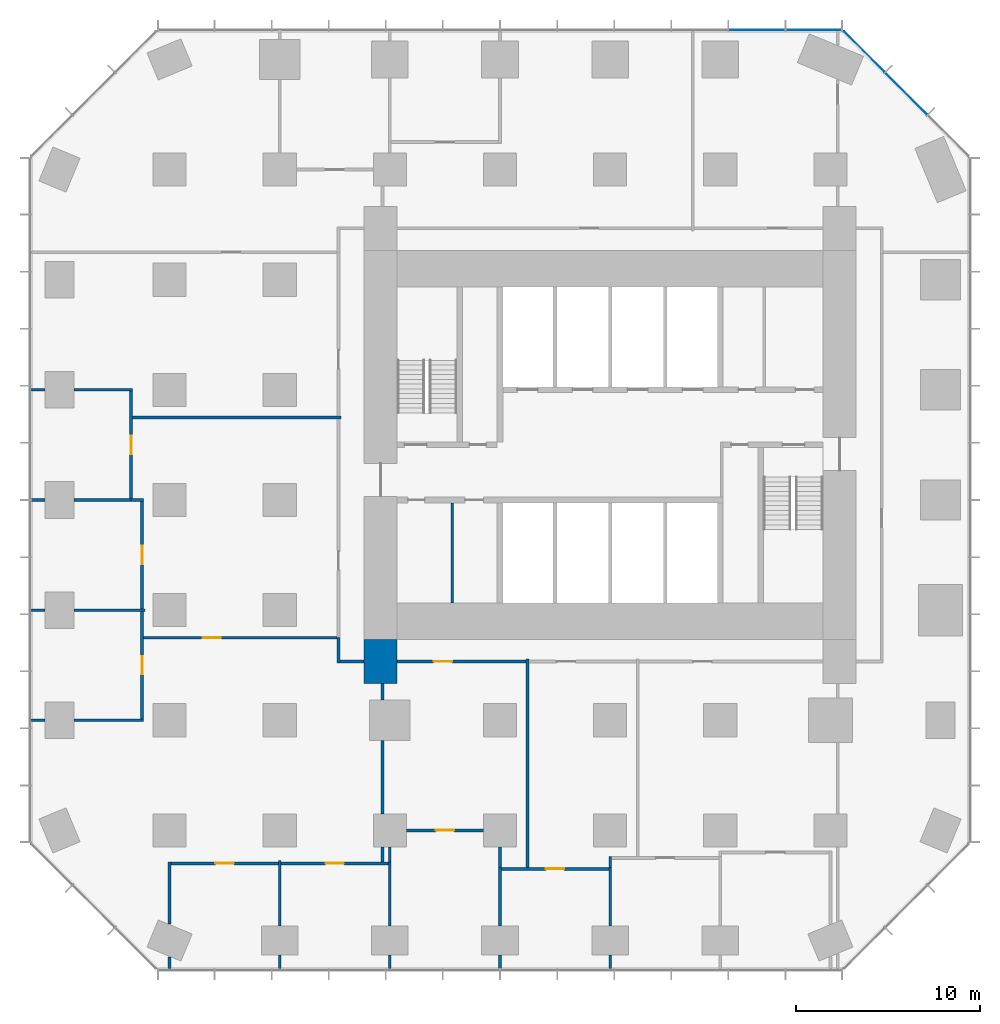
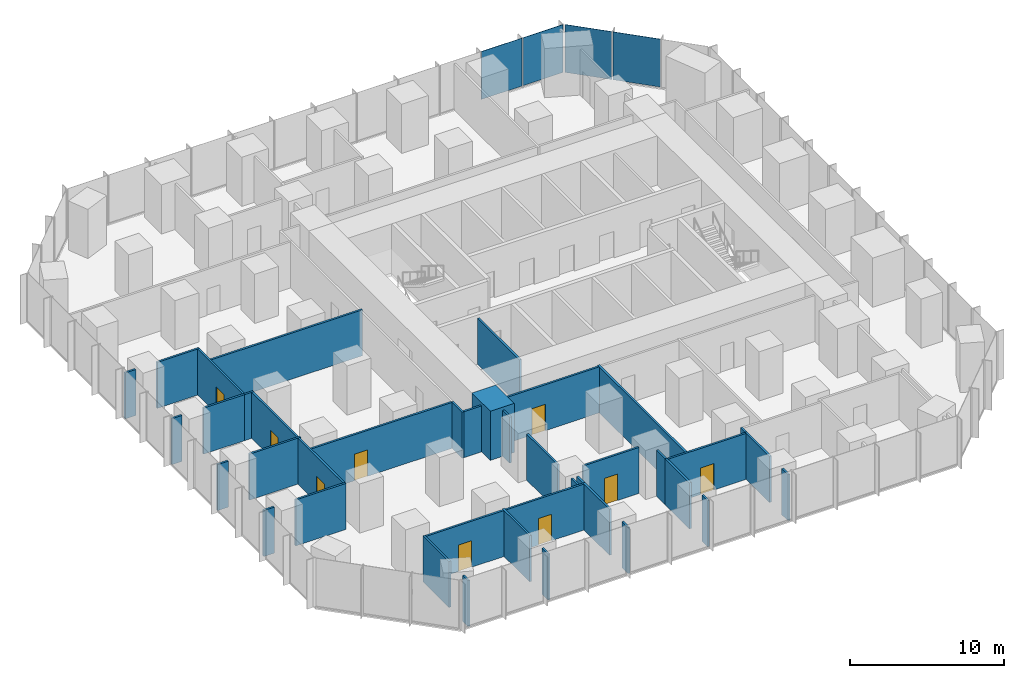
# One storey, part 8 of 12: 40 walls, 9 doors, 4 plates, 9 openings, 2 elements without a shape of their own.
"""IFC4 building model written with IfcOpenShell, lengths in metres."""

from ifc_helpers import new_model, si_unit, direction, frame, frame_2d, origin, origin_2d, place, context, subcontext, project, spatial, rectangle, extrude, material, layer, layer_set, type_object, element, fill, aggregate, save


model = new_model("IFC4")

# Units and contexts
model_context = context("Model", 3, precision=1e-05, world=origin(), true_north=direction((0.0, 1.0)))
body_context = subcontext(model_context, "Body", "Model", "MODEL_VIEW")
ifc_project = project(units=[si_unit("LENGTHUNIT", "METRE"), si_unit("AREAUNIT", "SQUARE_METRE"), si_unit("VOLUMEUNIT", "CUBIC_METRE"), si_unit("PLANEANGLEUNIT", "RADIAN"), si_unit("MASSUNIT", "GRAM", prefix="KILO")], contexts=[model_context])

# Site, building, storey
site_placement = place(None, origin())
site = spatial("IfcSite", under=ifc_project, at=site_placement, CompositionType="ELEMENT")
building_placement = place(site_placement, origin())
building = spatial("IfcBuilding", under=site, at=building_placement, Name="Highveld Stack Headquarters", CompositionType="ELEMENT")
storey_placement = place(building_placement, frame((0.0, 0.0, 22.10009765625)))
storey = spatial("IfcBuildingStorey", under=building, at=storey_placement, Name="L04", CompositionType="ELEMENT", Elevation=22.10009765625)

# Curtain wall, plates
ifc_material_1 = material(Name="Aluminium bronze anodised", Category="aluminium")
ifc_layer_1 = layer(ifc_material_1, 0.199951171875)
ifc_layer_set_1 = layer_set([ifc_layer_1], Name="Aluminium bronze anodised")
curtain_wall_type_1 = type_object("IfcCurtainWallType", Name="CW1 TOWER UNITISED CURTAIN WALL", PredefinedType="NOTDEFINED", material=ifc_layer_set_1)
curtain_wall_1_placement = place(storey_placement, origin())
curtain_wall_1 = element("IfcCurtainWall", 1, at=curtain_wall_1_placement, inside=storey, type_object=curtain_wall_type_1, Name="Curtain wall CW1 L04 N", PredefinedType="NOTDEFINED")
ifc_material_2 = material(Name="Glass bronze tinted double glazed unit", Category="glass")
ifc_layer_2 = layer(ifc_material_2, 0.028076171875)
ifc_layer_set_2 = layer_set([ifc_layer_2], Name="Glass bronze tinted double glazed unit")
plate_type_1 = type_object("IfcPlateType", Name="CW1 PANEL BRONZE TINTED DOUBLE GLAZED UNIT", PredefinedType="CURTAIN_PANEL", material=ifc_layer_set_2)
plate_1_placement = place(storey_placement, frame((17.09130859375, 25.60009765625, 0.10009765625), z_axis=(0.0, 0.0, 1.0), x_axis=(-1.0, 0.0, 0.0)))
plate_1 = element("IfcPlate", 2, at=plate_1_placement, type_object=plate_type_1, Name="CW1 panel L04 1.1", PredefinedType="CURTAIN_PANEL", context=body_context, shape_type="SweptSolid", body=[
    extrude(rectangle(XDim=3.012939453125, YDim=0.028076171875, at=origin_2d()), origin(), (0.0, 0.0, 1.0), 3.800048828125),
])
plate_2_placement = place(storey_placement, frame((13.9970703125, 25.60009765625, 0.10009765625), z_axis=(0.0, 0.0, 1.0), x_axis=(-1.0, 0.0, 0.0)))
plate_2 = element("IfcPlate", 3, at=plate_2_placement, type_object=plate_type_1, Name="CW1 panel L04 2.1", PredefinedType="CURTAIN_PANEL", context=body_context, shape_type="SweptSolid", body=[
    extrude(rectangle(XDim=3.04541015625, YDim=0.028076171875, at=origin_2d()), origin(), (0.0, 0.0, 1.0), 3.800048828125),
])
aggregate(curtain_wall_1, [plate_1, plate_2])

ifc_material_3 = material(Name="Aluminium bronze anodised", Category="aluminium")
ifc_layer_3 = layer(ifc_material_3, 0.199951171875)
ifc_layer_set_3 = layer_set([ifc_layer_3], Name="Aluminium bronze anodised")
curtain_wall_type_2 = type_object("IfcCurtainWallType", Name="CW2 TOWER CHAMFER UNITISED CURTAIN WALL", PredefinedType="NOTDEFINED", material=ifc_layer_set_3)
curtain_wall_2_placement = place(storey_placement, origin())
curtain_wall_2 = element("IfcCurtainWall", 4, at=curtain_wall_2_placement, inside=storey, type_object=curtain_wall_type_2, Name="Curtain wall CW2 L04 NE", PredefinedType="NOTDEFINED")
ifc_material_4 = material(Name="Glass bronze tinted double glazed unit", Category="glass")
ifc_layer_4 = layer(ifc_material_4, 0.028076171875)
ifc_layer_set_4 = layer_set([ifc_layer_4], Name="Glass bronze tinted double glazed unit")
plate_type_2 = type_object("IfcPlateType", Name="CW2 PANEL BRONZE TINTED DOUBLE GLAZED UNIT", PredefinedType="CURTAIN_PANEL", material=ifc_layer_set_4)
plate_3_placement = place(storey_placement, frame((22.13134765625, 22.13134765625, 0.10009765625), z_axis=(0.0, 0.0, 1.0), x_axis=(-0.707106781187, 0.707106781187, 0.0)))
plate_3 = element("IfcPlate", 5, at=plate_3_placement, type_object=plate_type_2, Name="CW2 panel L04 2.1", PredefinedType="CURTAIN_PANEL", context=body_context, shape_type="SweptSolid", body=[
    extrude(rectangle(XDim=3.205322265625, YDim=0.028076171875, at=origin_2d()), origin(), (0.0, 0.0, 1.0), 3.800048828125),
])
plate_4_placement = place(storey_placement, frame((19.8427734375, 24.419921875, 0.10009765625), z_axis=(0.0, 0.0, 1.0), x_axis=(-0.707106781187, 0.707106781187, 0.0)))
plate_4 = element("IfcPlate", 6, at=plate_4_placement, type_object=plate_type_2, Name="CW2 panel L04 3.1", PredefinedType="CURTAIN_PANEL", context=body_context, shape_type="SweptSolid", body=[
    extrude(rectangle(XDim=3.1376953125, YDim=0.028076171875, at=origin_2d()), origin(), (0.0, 0.0, 1.0), 3.800048828125),
])
aggregate(curtain_wall_2, [plate_3, plate_4])

# Wall
ifc_material_5 = material(Name="Concrete C60/75", Category="concrete")
ifc_layer_5 = layer(ifc_material_5, 1.800048828125)
ifc_layer_set_5 = layer_set([ifc_layer_5], Name="Concrete C60/75")
wall_type_1 = type_object("IfcWallType", Name="CORE WING WALL 1800 C60/75", PredefinedType="SHEAR", material=ifc_layer_set_5)
wall_1_placement = place(storey_placement, frame((-6.5, -10.0, 0.0), z_axis=(0.0, 0.0, 1.0), x_axis=(0.0, 1.0, 0.0)))
element("IfcWall", 7, at=wall_1_placement, inside=storey, type_object=wall_type_1, Name="Core wing wall WS L04", PredefinedType="SHEAR", context=body_context, shape_type="SweptSolid", body=[
    extrude(rectangle(XDim=2.39990234375, YDim=1.800048828125, at=frame_2d((1.199951171875, 0.0))), origin(), (0.0, 0.0, 1.0), 3.89990234375),
])

# Wall, opening, door
ifc_material_6 = material(Name="Gypsum plasterboard on steel studs", Category="steel")
ifc_layer_6 = layer(ifc_material_6, 0.14990234375)
ifc_layer_set_6 = layer_set([ifc_layer_6], Name="Gypsum plasterboard on steel studs")
wall_type_2 = type_object("IfcWallType", Name="PARTITION 150 PLASTERBOARD", PredefinedType="PARTITIONING", material=ifc_layer_set_6)
wall_2_placement = place(storey_placement, frame((0.074951171875, -20.10009765625, 0.0), z_axis=(0.0, 0.0, 1.0), x_axis=(1.0, 0.0, 0.0)))
wall_2 = element("IfcWall", 8, at=wall_2_placement, inside=storey, type_object=wall_type_2, Name="Partition Focus room L04", PredefinedType="PARTITIONING", context=body_context, shape_type="SweptSolid", body=[
    extrude(rectangle(XDim=5.85009765625, YDim=0.14990234375, at=frame_2d((2.925048828125, 0.0))), origin(), (0.0, 0.0, 1.0), 3.64990234375),
])
opening_1_placement = place(wall_2_placement, frame((2.425048828125, 0.0, 0.0)))
opening_1 = element("IfcOpeningElement", 9, at=opening_1_placement, cuts=wall_2, Name="Opening L04-14", PredefinedType="OPENING", context=body_context, shape_type="SweptSolid", body=[
    extrude(rectangle(XDim=1.0, YDim=2.10009765625, at=frame_2d((0.5, 1.050048828125))), frame((0.0, 0.0849609375, 0.0), z_axis=(0.0, -1.0, 0.0), x_axis=(1.0, 0.0, 0.0)), (0.0, 0.0, 1.0), 0.169921875),
])
ifc_material_7 = material(Name="Timber door, oiled ash", Category="wood")
door_type = type_object("IfcDoorType", Name="ROOM DOOR D6 1000x2100", OperationType="SINGLE_SWING_LEFT", PredefinedType="DOOR", material=ifc_material_7)
door_1_placement = place(opening_1_placement, origin())
door_1 = element("IfcDoor", 10, at=door_1_placement, inside=storey, type_object=door_type, Name="Focus room door 1 L04", OperationType="SINGLE_SWING_RIGHT", OverallHeight=2.10009765625, OverallWidth=1.0, PredefinedType="DOOR", context=body_context, shape_type="SweptSolid", body=[
    extrude(rectangle(XDim=1.0, YDim=2.10009765625, at=frame_2d((0.5, 1.050048828125))), frame((0.0, 0.02490234375, 0.0), z_axis=(0.0, -1.0, 0.0), x_axis=(1.0, 0.0, 0.0)), (0.0, 0.0, 1.0), 0.050048828125),
])
fill(opening_1, door_1)

wall_3_placement = place(storey_placement, frame((-17.925048828125, -19.800048828125, 0.0), z_axis=(0.0, 0.0, 1.0), x_axis=(1.0, 0.0, 0.0)))
wall_3 = element("IfcWall", 11, at=wall_3_placement, inside=storey, type_object=wall_type_2, Name="Partition Print room L04", PredefinedType="PARTITIONING", context=body_context, shape_type="SweptSolid", body=[
    extrude(rectangle(XDim=5.85009765625, YDim=0.14990234375, at=frame_2d((2.925048828125, 0.0))), origin(), (0.0, 0.0, 1.0), 3.64990234375),
])
opening_2_placement = place(wall_3_placement, frame((2.425048828125, 0.0, 0.0)))
opening_2 = element("IfcOpeningElement", 12, at=opening_2_placement, cuts=wall_3, Name="Opening L04-11", PredefinedType="OPENING", context=body_context, shape_type="SweptSolid", body=[
    extrude(rectangle(XDim=1.0, YDim=2.10009765625, at=frame_2d((0.5, 1.050048828125))), frame((0.0, 0.0849609375, 0.0), z_axis=(0.0, -1.0, 0.0), x_axis=(1.0, 0.0, 0.0)), (0.0, 0.0, 1.0), 0.169921875),
])
door_2_placement = place(opening_2_placement, origin())
door_2 = element("IfcDoor", 13, at=door_2_placement, inside=storey, type_object=door_type, Name="Print room door 1 L04", OperationType="SINGLE_SWING_LEFT", OverallHeight=2.10009765625, OverallWidth=1.0, PredefinedType="DOOR", context=body_context, shape_type="SweptSolid", body=[
    extrude(rectangle(XDim=1.0, YDim=2.10009765625, at=frame_2d((0.5, 1.050048828125))), frame((0.0, 0.02490234375, 0.0), z_axis=(0.0, -1.0, 0.0), x_axis=(1.0, 0.0, 0.0)), (0.0, 0.0, 1.0), 0.050048828125),
])
fill(opening_2, door_2)

wall_4_placement = place(storey_placement, frame((-11.925048828125, -19.800048828125, 0.0), z_axis=(0.0, 0.0, 1.0), x_axis=(1.0, 0.0, 0.0)))
wall_4 = element("IfcWall", 14, at=wall_4_placement, inside=storey, type_object=wall_type_2, Name="Partition Print room L04", PredefinedType="PARTITIONING", context=body_context, shape_type="SweptSolid", body=[
    extrude(rectangle(XDim=5.85009765625, YDim=0.14990234375, at=frame_2d((2.925048828125, 0.0))), origin(), (0.0, 0.0, 1.0), 3.64990234375),
])
opening_3_placement = place(wall_4_placement, frame((2.425048828125, 0.0, 0.0)))
opening_3 = element("IfcOpeningElement", 15, at=opening_3_placement, cuts=wall_4, Name="Opening L04-12", PredefinedType="OPENING", context=body_context, shape_type="SweptSolid", body=[
    extrude(rectangle(XDim=1.0, YDim=2.10009765625, at=frame_2d((0.5, 1.050048828125))), frame((0.0, 0.0849609375, 0.0), z_axis=(0.0, -1.0, 0.0), x_axis=(1.0, 0.0, 0.0)), (0.0, 0.0, 1.0), 0.169921875),
])
door_3_placement = place(opening_3_placement, origin())
door_3 = element("IfcDoor", 16, at=door_3_placement, inside=storey, type_object=door_type, Name="Print room door 1 L04", OperationType="SINGLE_SWING_RIGHT", OverallHeight=2.10009765625, OverallWidth=1.0, PredefinedType="DOOR", context=body_context, shape_type="SweptSolid", body=[
    extrude(rectangle(XDim=1.0, YDim=2.10009765625, at=frame_2d((0.5, 1.050048828125))), frame((0.0, 0.02490234375, 0.0), z_axis=(0.0, -1.0, 0.0), x_axis=(1.0, 0.0, 0.0)), (0.0, 0.0, 1.0), 0.050048828125),
])
fill(opening_3, door_3)

wall_5_placement = place(storey_placement, frame((-5.10009765625, -18.0, 0.0), z_axis=(0.0, 0.0, 1.0), x_axis=(1.0, 0.0, 0.0)))
wall_5 = element("IfcWall", 17, at=wall_5_placement, inside=storey, type_object=wall_type_2, Name="Partition Office L04", PredefinedType="PARTITIONING", context=body_context, shape_type="SweptSolid", body=[
    extrude(rectangle(XDim=4.2001953125, YDim=0.14990234375, at=frame_2d((2.10009765625, 0.0))), origin(), (0.0, 0.0, 1.0), 3.64990234375),
])
opening_4_placement = place(wall_5_placement, frame((1.60009765625, 0.0, 0.0)))
opening_4 = element("IfcOpeningElement", 18, at=opening_4_placement, cuts=wall_5, Name="Opening L04-13", PredefinedType="OPENING", context=body_context, shape_type="SweptSolid", body=[
    extrude(rectangle(XDim=1.0, YDim=2.10009765625, at=frame_2d((0.5, 1.050048828125))), frame((0.0, 0.0849609375, 0.0), z_axis=(0.0, -1.0, 0.0), x_axis=(1.0, 0.0, 0.0)), (0.0, 0.0, 1.0), 0.169921875),
])
door_4_placement = place(opening_4_placement, origin())
door_4 = element("IfcDoor", 19, at=door_4_placement, inside=storey, type_object=door_type, Name="Office door 1 L04", OperationType="SINGLE_SWING_RIGHT", OverallHeight=2.10009765625, OverallWidth=1.0, PredefinedType="DOOR", context=body_context, shape_type="SweptSolid", body=[
    extrude(rectangle(XDim=1.0, YDim=2.10009765625, at=frame_2d((0.5, 1.050048828125))), frame((0.0, 0.02490234375, 0.0), z_axis=(0.0, -1.0, 0.0), x_axis=(1.0, 0.0, 0.0)), (0.0, 0.0, 1.0), 0.050048828125),
])
fill(opening_4, door_4)

# Walls
wall_6_placement = place(storey_placement, frame((-25.60009765625, -12.0, 0.0), z_axis=(0.0, 0.0, 1.0), x_axis=(1.0, 0.0, 0.0)))
element("IfcWall", 20, at=wall_6_placement, inside=storey, type_object=wall_type_2, Name="Partition Quiet room L04", PredefinedType="PARTITIONING", context=body_context, shape_type="SweptSolid", body=[
    extrude(rectangle(XDim=0.800048828125, YDim=0.14990234375, at=frame_2d((0.39990234375, 0.0))), origin(), (0.0, 0.0, 1.0), 3.64990234375),
])
wall_7_placement = place(storey_placement, frame((-23.199951171875, -12.0, 0.0), z_axis=(0.0, 0.0, 1.0), x_axis=(1.0, 0.0, 0.0)))
element("IfcWall", 21, at=wall_7_placement, inside=storey, type_object=wall_type_2, Name="Partition Quiet room L04", PredefinedType="PARTITIONING", context=body_context, shape_type="SweptSolid", body=[
    extrude(rectangle(XDim=3.77490234375, YDim=0.14990234375, at=frame_2d((1.887451171875, 0.0))), origin(), (0.0, 0.0, 1.0), 3.64990234375),
])
wall_8_placement = place(storey_placement, frame((-25.60009765625, -6.0, 0.0), z_axis=(0.0, 0.0, 1.0), x_axis=(1.0, 0.0, 0.0)))
element("IfcWall", 22, at=wall_8_placement, inside=storey, type_object=wall_type_2, Name="Partition Quiet room L04", PredefinedType="PARTITIONING", context=body_context, shape_type="SweptSolid", body=[
    extrude(rectangle(XDim=0.800048828125, YDim=0.14990234375, at=frame_2d((0.39990234375, 0.0))), origin(), (0.0, 0.0, 1.0), 3.64990234375),
])
wall_9_placement = place(storey_placement, frame((-23.199951171875, -6.0, 0.0), z_axis=(0.0, 0.0, 1.0), x_axis=(1.0, 0.0, 0.0)))
element("IfcWall", 23, at=wall_9_placement, inside=storey, type_object=wall_type_2, Name="Partition Quiet room L04", PredefinedType="PARTITIONING", context=body_context, shape_type="SweptSolid", body=[
    extrude(rectangle(XDim=3.849853515625, YDim=0.14990234375, at=frame_2d((1.9248046875, 0.0))), origin(), (0.0, 0.0, 1.0), 3.64990234375),
])
wall_10_placement = place(storey_placement, frame((-25.550048828125, 0.0, 0.0), z_axis=(0.0, 0.0, 1.0), x_axis=(1.0, 0.0, 0.0)))
element("IfcWall", 24, at=wall_10_placement, inside=storey, type_object=wall_type_2, Name="Partition Focus room / Quiet room L04", PredefinedType="PARTITIONING", context=body_context, shape_type="SweptSolid", body=[
    extrude(rectangle(XDim=0.75, YDim=0.14990234375, at=frame_2d((0.375, 0.0))), origin(), (0.0, 0.0, 1.0), 3.64990234375),
])
wall_11_placement = place(storey_placement, frame((-23.199951171875, 0.0, 0.0), z_axis=(0.0, 0.0, 1.0), x_axis=(1.0, 0.0, 0.0)))
element("IfcWall", 25, at=wall_11_placement, inside=storey, type_object=wall_type_2, Name="Partition Focus room / Quiet room L04", PredefinedType="PARTITIONING", context=body_context, shape_type="SweptSolid", body=[
    extrude(rectangle(XDim=3.175048828125, YDim=0.14990234375, at=frame_2d((1.58740234375, 0.0))), origin(), (0.0, 0.0, 1.0), 3.64990234375),
])
wall_12_placement = place(storey_placement, frame((-20.10009765625, 0.0, 0.0), z_axis=(0.0, 0.0, 1.0), x_axis=(1.0, 0.0, 0.0)))
element("IfcWall", 26, at=wall_12_placement, inside=storey, type_object=wall_type_2, Name="Partition Quiet room L04", PredefinedType="PARTITIONING", context=body_context, shape_type="SweptSolid", body=[
    extrude(rectangle(XDim=0.675048828125, YDim=0.14990234375, at=frame_2d((0.33740234375, 0.0))), origin(), (0.0, 0.0, 1.0), 3.64990234375),
])
wall_13_placement = place(storey_placement, frame((-25.60009765625, 6.0, 0.0), z_axis=(0.0, 0.0, 1.0), x_axis=(1.0, 0.0, 0.0)))
element("IfcWall", 27, at=wall_13_placement, inside=storey, type_object=wall_type_2, Name="Partition Focus room L04", PredefinedType="PARTITIONING", context=body_context, shape_type="SweptSolid", body=[
    extrude(rectangle(XDim=0.800048828125, YDim=0.14990234375, at=frame_2d((0.39990234375, 0.0))), origin(), (0.0, 0.0, 1.0), 3.64990234375),
])
wall_14_placement = place(storey_placement, frame((-23.199951171875, 6.0, 0.0), z_axis=(0.0, 0.0, 1.0), x_axis=(1.0, 0.0, 0.0)))
element("IfcWall", 28, at=wall_14_placement, inside=storey, type_object=wall_type_2, Name="Partition Focus room L04", PredefinedType="PARTITIONING", context=body_context, shape_type="SweptSolid", body=[
    extrude(rectangle(XDim=3.175048828125, YDim=0.14990234375, at=frame_2d((1.58740234375, 0.0))), origin(), (0.0, 0.0, 1.0), 3.64990234375),
])

# Wall, opening, door
wall_15_placement = place(storey_placement, frame((-20.10009765625, 0.074951171875, 0.0), z_axis=(0.0, 0.0, 1.0), x_axis=(0.0, 1.0, 0.0)))
wall_15 = element("IfcWall", 29, at=wall_15_placement, inside=storey, type_object=wall_type_2, Name="Partition Focus room L04", PredefinedType="PARTITIONING", context=body_context, shape_type="SweptSolid", body=[
    extrude(rectangle(XDim=5.85009765625, YDim=0.14990234375, at=frame_2d((2.925048828125, 0.0))), origin(), (0.0, 0.0, 1.0), 3.64990234375),
])
opening_5_placement = place(wall_15_placement, frame((2.425048828125, 0.0, 0.0)))
opening_5 = element("IfcOpeningElement", 30, at=opening_5_placement, cuts=wall_15, Name="Opening L04-19", PredefinedType="OPENING", context=body_context, shape_type="SweptSolid", body=[
    extrude(rectangle(XDim=1.0, YDim=2.10009765625, at=frame_2d((0.5, 1.050048828125))), frame((0.0, 0.0849609375, 0.0), z_axis=(0.0, -1.0, 0.0), x_axis=(1.0, 0.0, 0.0)), (0.0, 0.0, 1.0), 0.169921875),
])
door_5_placement = place(opening_5_placement, origin())
door_5 = element("IfcDoor", 31, at=door_5_placement, inside=storey, type_object=door_type, Name="Focus room door 1 L04", OperationType="SINGLE_SWING_LEFT", OverallHeight=2.10009765625, OverallWidth=1.0, PredefinedType="DOOR", context=body_context, shape_type="SweptSolid", body=[
    extrude(rectangle(XDim=1.0, YDim=2.10009765625, at=frame_2d((0.5, 1.050048828125))), frame((0.0, 0.02490234375, 0.0), z_axis=(0.0, -1.0, 0.0), x_axis=(1.0, 0.0, 0.0)), (0.0, 0.0, 1.0), 0.050048828125),
])
fill(opening_5, door_5)

wall_16_placement = place(storey_placement, frame((-19.5, -11.925048828125, 0.0), z_axis=(0.0, 0.0, 1.0), x_axis=(0.0, 1.0, 0.0)))
wall_16 = element("IfcWall", 32, at=wall_16_placement, inside=storey, type_object=wall_type_2, Name="Partition Quiet room L04", PredefinedType="PARTITIONING", context=body_context, shape_type="SweptSolid", body=[
    extrude(rectangle(XDim=5.85009765625, YDim=0.14990234375, at=frame_2d((2.925048828125, 0.0))), origin(), (0.0, 0.0, 1.0), 3.64990234375),
])
opening_6_placement = place(wall_16_placement, frame((2.425048828125, 0.0, 0.0)))
opening_6 = element("IfcOpeningElement", 33, at=opening_6_placement, cuts=wall_16, Name="Opening L04-17", PredefinedType="OPENING", context=body_context, shape_type="SweptSolid", body=[
    extrude(rectangle(XDim=1.0, YDim=2.10009765625, at=frame_2d((0.5, 1.050048828125))), frame((0.0, 0.0849609375, 0.0), z_axis=(0.0, -1.0, 0.0), x_axis=(1.0, 0.0, 0.0)), (0.0, 0.0, 1.0), 0.169921875),
])
door_6_placement = place(opening_6_placement, origin())
door_6 = element("IfcDoor", 34, at=door_6_placement, inside=storey, type_object=door_type, Name="Quiet room door 1 L04", OperationType="SINGLE_SWING_RIGHT", OverallHeight=2.10009765625, OverallWidth=1.0, PredefinedType="DOOR", context=body_context, shape_type="SweptSolid", body=[
    extrude(rectangle(XDim=1.0, YDim=2.10009765625, at=frame_2d((0.5, 1.050048828125))), frame((0.0, 0.02490234375, 0.0), z_axis=(0.0, -1.0, 0.0), x_axis=(1.0, 0.0, 0.0)), (0.0, 0.0, 1.0), 0.050048828125),
])
fill(opening_6, door_6)

wall_17_placement = place(storey_placement, frame((-19.5, -5.925048828125, 0.0), z_axis=(0.0, 0.0, 1.0), x_axis=(0.0, 1.0, 0.0)))
wall_17 = element("IfcWall", 35, at=wall_17_placement, inside=storey, type_object=wall_type_2, Name="Partition Quiet room L04", PredefinedType="PARTITIONING", context=body_context, shape_type="SweptSolid", body=[
    extrude(rectangle(XDim=5.85009765625, YDim=0.14990234375, at=frame_2d((2.925048828125, 0.0))), origin(), (0.0, 0.0, 1.0), 3.64990234375),
])
opening_7_placement = place(wall_17_placement, frame((2.425048828125, 0.0, 0.0)))
opening_7 = element("IfcOpeningElement", 36, at=opening_7_placement, cuts=wall_17, Name="Opening L04-18", PredefinedType="OPENING", context=body_context, shape_type="SweptSolid", body=[
    extrude(rectangle(XDim=1.0, YDim=2.10009765625, at=frame_2d((0.5, 1.050048828125))), frame((0.0, 0.0849609375, 0.0), z_axis=(0.0, -1.0, 0.0), x_axis=(1.0, 0.0, 0.0)), (0.0, 0.0, 1.0), 0.169921875),
])
door_7_placement = place(opening_7_placement, origin())
door_7 = element("IfcDoor", 37, at=door_7_placement, inside=storey, type_object=door_type, Name="Quiet room door 1 L04", OperationType="SINGLE_SWING_RIGHT", OverallHeight=2.10009765625, OverallWidth=1.0, PredefinedType="DOOR", context=body_context, shape_type="SweptSolid", body=[
    extrude(rectangle(XDim=1.0, YDim=2.10009765625, at=frame_2d((0.5, 1.050048828125))), frame((0.0, 0.02490234375, 0.0), z_axis=(0.0, -1.0, 0.0), x_axis=(1.0, 0.0, 0.0)), (0.0, 0.0, 1.0), 0.050048828125),
])
fill(opening_7, door_7)

# Walls
wall_18_placement = place(storey_placement, frame((-18.0, -25.60009765625, 0.0), z_axis=(0.0, 0.0, 1.0), x_axis=(0.0, 1.0, 0.0)))
element("IfcWall", 38, at=wall_18_placement, inside=storey, type_object=wall_type_2, Name="Partition Print room L04", PredefinedType="PARTITIONING", context=body_context, shape_type="SweptSolid", body=[
    extrude(rectangle(XDim=0.703125, YDim=0.14990234375, at=frame_2d((0.3515625, 0.0))), origin(), (0.0, 0.0, 1.0), 3.64990234375),
])
wall_19_placement = place(storey_placement, frame((-18.0, -23.10302734375, 0.0), z_axis=(0.0, 0.0, 1.0), x_axis=(0.0, 1.0, 0.0)))
element("IfcWall", 39, at=wall_19_placement, inside=storey, type_object=wall_type_2, Name="Partition Print room L04", PredefinedType="PARTITIONING", context=body_context, shape_type="SweptSolid", body=[
    extrude(rectangle(XDim=3.3779296875, YDim=0.14990234375, at=frame_2d((1.68896484375, 0.0))), origin(), (0.0, 0.0, 1.0), 3.64990234375),
])
wall_20_placement = place(storey_placement, frame((-12.0, -25.60009765625, 0.0), z_axis=(0.0, 0.0, 1.0), x_axis=(0.0, 1.0, 0.0)))
element("IfcWall", 40, at=wall_20_placement, inside=storey, type_object=wall_type_2, Name="Partition Print room L04", PredefinedType="PARTITIONING", context=body_context, shape_type="SweptSolid", body=[
    extrude(rectangle(XDim=0.800048828125, YDim=0.14990234375, at=frame_2d((0.39990234375, 0.0))), origin(), (0.0, 0.0, 1.0), 3.64990234375),
])
wall_21_placement = place(storey_placement, frame((-12.0, -23.199951171875, 0.0), z_axis=(0.0, 0.0, 1.0), x_axis=(0.0, 1.0, 0.0)))
element("IfcWall", 41, at=wall_21_placement, inside=storey, type_object=wall_type_2, Name="Partition Print room L04", PredefinedType="PARTITIONING", context=body_context, shape_type="SweptSolid", body=[
    extrude(rectangle(XDim=3.550048828125, YDim=0.14990234375, at=frame_2d((1.77490234375, 0.0))), origin(), (0.0, 0.0, 1.0), 3.64990234375),
])
wall_22_placement = place(storey_placement, frame((-6.0, -25.60009765625, 0.0), z_axis=(0.0, 0.0, 1.0), x_axis=(0.0, 1.0, 0.0)))
element("IfcWall", 42, at=wall_22_placement, inside=storey, type_object=wall_type_2, Name="Partition Office / Print room L04", PredefinedType="PARTITIONING", context=body_context, shape_type="SweptSolid", body=[
    extrude(rectangle(XDim=0.800048828125, YDim=0.14990234375, at=frame_2d((0.39990234375, 0.0))), origin(), (0.0, 0.0, 1.0), 3.64990234375),
])
wall_23_placement = place(storey_placement, frame((-6.0, -23.199951171875, 0.0), z_axis=(0.0, 0.0, 1.0), x_axis=(0.0, 1.0, 0.0)))
element("IfcWall", 43, at=wall_23_placement, inside=storey, type_object=wall_type_2, Name="Partition Office / Print room L04", PredefinedType="PARTITIONING", context=body_context, shape_type="SweptSolid", body=[
    extrude(rectangle(XDim=3.474853515625, YDim=0.14990234375, at=frame_2d((1.7373046875, 0.0))), origin(), (0.0, 0.0, 1.0), 3.64990234375),
])
wall_24_placement = place(storey_placement, frame((-6.0, -19.72509765625, 0.0), z_axis=(0.0, 0.0, 1.0), x_axis=(0.0, 1.0, 0.0)))
element("IfcWall", 44, at=wall_24_placement, inside=storey, type_object=wall_type_2, Name="Partition Office L04", PredefinedType="PARTITIONING", context=body_context, shape_type="SweptSolid", body=[
    extrude(rectangle(XDim=0.8251953125, YDim=0.14990234375, at=frame_2d((0.41259765625, 0.0))), origin(), (0.0, 0.0, 1.0), 3.64990234375),
])
wall_25_placement = place(storey_placement, frame((0.0, -25.550048828125, 0.0), z_axis=(0.0, 0.0, 1.0), x_axis=(0.0, 1.0, 0.0)))
element("IfcWall", 45, at=wall_25_placement, inside=storey, type_object=wall_type_2, Name="Partition Focus room / Office L04", PredefinedType="PARTITIONING", context=body_context, shape_type="SweptSolid", body=[
    extrude(rectangle(XDim=0.75, YDim=0.14990234375, at=frame_2d((0.375, 0.0))), origin(), (0.0, 0.0, 1.0), 3.64990234375),
])
wall_26_placement = place(storey_placement, frame((0.0, -23.199951171875, 0.0), z_axis=(0.0, 0.0, 1.0), x_axis=(0.0, 1.0, 0.0)))
element("IfcWall", 46, at=wall_26_placement, inside=storey, type_object=wall_type_2, Name="Partition Focus room / Office L04", PredefinedType="PARTITIONING", context=body_context, shape_type="SweptSolid", body=[
    extrude(rectangle(XDim=3.175048828125, YDim=0.14990234375, at=frame_2d((1.58740234375, 0.0))), origin(), (0.0, 0.0, 1.0), 3.64990234375),
])
wall_27_placement = place(storey_placement, frame((0.0, -20.02490234375, 0.0), z_axis=(0.0, 0.0, 1.0), x_axis=(0.0, 1.0, 0.0)))
element("IfcWall", 47, at=wall_27_placement, inside=storey, type_object=wall_type_2, Name="Partition Office L04", PredefinedType="PARTITIONING", context=body_context, shape_type="SweptSolid", body=[
    extrude(rectangle(XDim=1.125, YDim=0.14990234375, at=frame_2d((0.5625, 0.0))), origin(), (0.0, 0.0, 1.0), 3.64990234375),
])
wall_28_placement = place(storey_placement, frame((6.0, -25.60009765625, 0.0), z_axis=(0.0, 0.0, 1.0), x_axis=(0.0, 1.0, 0.0)))
element("IfcWall", 48, at=wall_28_placement, inside=storey, type_object=wall_type_2, Name="Partition Focus room / Quiet room L04", PredefinedType="PARTITIONING", context=body_context, shape_type="SweptSolid", body=[
    extrude(rectangle(XDim=0.800048828125, YDim=0.14990234375, at=frame_2d((0.39990234375, 0.0))), origin(), (0.0, 0.0, 1.0), 3.64990234375),
])
wall_29_placement = place(storey_placement, frame((6.0, -23.199951171875, 0.0), z_axis=(0.0, 0.0, 1.0), x_axis=(0.0, 1.0, 0.0)))
element("IfcWall", 49, at=wall_29_placement, inside=storey, type_object=wall_type_2, Name="Partition Focus room / Quiet room L04", PredefinedType="PARTITIONING", context=body_context, shape_type="SweptSolid", body=[
    extrude(rectangle(XDim=3.175048828125, YDim=0.14990234375, at=frame_2d((1.58740234375, 0.0))), origin(), (0.0, 0.0, 1.0), 3.64990234375),
])
wall_30_placement = place(storey_placement, frame((6.0, -20.02490234375, 0.0), z_axis=(0.0, 0.0, 1.0), x_axis=(0.0, 1.0, 0.0)))
element("IfcWall", 50, at=wall_30_placement, inside=storey, type_object=wall_type_2, Name="Partition Quiet room L04", PredefinedType="PARTITIONING", context=body_context, shape_type="SweptSolid", body=[
    extrude(rectangle(XDim=0.599853515625, YDim=0.14990234375, at=frame_2d((0.2998046875, 0.0))), origin(), (0.0, 0.0, 1.0), 3.64990234375),
])
wall_31_placement = place(storey_placement, frame((-20.02490234375, 4.5, 0.0), z_axis=(0.0, 0.0, 1.0), x_axis=(1.0, 0.0, 0.0)))
element("IfcWall", 51, at=wall_31_placement, inside=storey, type_object=wall_type_2, Name="Partition office neighbourhood L04", PredefinedType="PARTITIONING", context=body_context, shape_type="SweptSolid", body=[
    extrude(rectangle(XDim=11.375, YDim=0.14990234375, at=frame_2d((5.6875, 0.0))), origin(), (0.0, 0.0, 1.0), 3.64990234375),
])

# Wall, opening, door
wall_32_placement = place(storey_placement, frame((-19.425048828125, -7.5, 0.0), z_axis=(0.0, 0.0, 1.0), x_axis=(1.0, 0.0, 0.0)))
wall_32 = element("IfcWall", 52, at=wall_32_placement, inside=storey, type_object=wall_type_2, Name="Partition office neighbourhood L04", PredefinedType="PARTITIONING", context=body_context, shape_type="SweptSolid", body=[
    extrude(rectangle(XDim=10.550048828125, YDim=0.14990234375, at=frame_2d((5.27490234375, 0.0))), origin(), (0.0, 0.0, 1.0), 3.64990234375),
])
opening_8_placement = place(wall_32_placement, frame((3.218994140625, 0.0, 0.0)))
opening_8 = element("IfcOpeningElement", 53, at=opening_8_placement, cuts=wall_32, Name="Opening L04-22", PredefinedType="OPENING", context=body_context, shape_type="SweptSolid", body=[
    extrude(rectangle(XDim=1.0, YDim=2.10009765625, at=frame_2d((0.5, 1.050048828125))), frame((0.0, 0.0849609375, 0.0), z_axis=(0.0, -1.0, 0.0), x_axis=(1.0, 0.0, 0.0)), (0.0, 0.0, 1.0), 0.169921875),
])
door_8_placement = place(opening_8_placement, origin())
door_8 = element("IfcDoor", 54, at=door_8_placement, inside=storey, type_object=door_type, Name="Office neighbourhood door L04", OperationType="SINGLE_SWING_LEFT", OverallHeight=2.10009765625, OverallWidth=1.0, PredefinedType="DOOR", context=body_context, shape_type="SweptSolid", body=[
    extrude(rectangle(XDim=1.0, YDim=2.10009765625, at=frame_2d((0.5, 1.050048828125))), frame((0.0, 0.02490234375, 0.0), z_axis=(0.0, -1.0, 0.0), x_axis=(1.0, 0.0, 0.0)), (0.0, 0.0, 1.0), 0.050048828125),
])
fill(opening_8, door_8)

# Walls
wall_33_placement = place(storey_placement, frame((-8.800048828125, -8.875, 0.0), z_axis=(0.0, 0.0, 1.0), x_axis=(0.0, 1.0, 0.0)))
element("IfcWall", 55, at=wall_33_placement, inside=storey, type_object=wall_type_2, Name="Partition office neighbourhood L04", PredefinedType="PARTITIONING", context=body_context, shape_type="SweptSolid", body=[
    extrude(rectangle(XDim=1.375, YDim=0.14990234375, at=frame_2d((0.6875, 0.0))), origin(), (0.0, 0.0, 1.0), 3.64990234375),
])
wall_34_placement = place(storey_placement, frame((-8.72509765625, -8.800048828125, 0.0), z_axis=(0.0, 0.0, 1.0), x_axis=(1.0, 0.0, 0.0)))
element("IfcWall", 56, at=wall_34_placement, inside=storey, type_object=wall_type_2, Name="Partition office neighbourhood L04", PredefinedType="PARTITIONING", context=body_context, shape_type="SweptSolid", body=[
    extrude(rectangle(XDim=1.3251953125, YDim=0.14990234375, at=frame_2d((0.66259765625, 0.0))), origin(), (0.0, 0.0, 1.0), 3.64990234375),
])
wall_35_placement = place(storey_placement, frame((-6.39990234375, -19.72509765625, 0.0), z_axis=(0.0, 0.0, 1.0), x_axis=(0.0, 1.0, 0.0)))
element("IfcWall", 57, at=wall_35_placement, inside=storey, type_object=wall_type_2, Name="Partition office neighbourhood L04", PredefinedType="PARTITIONING", context=body_context, shape_type="SweptSolid", body=[
    extrude(rectangle(XDim=0.8251953125, YDim=0.14990234375, at=frame_2d((0.41259765625, 0.0))), origin(), (0.0, 0.0, 1.0), 3.64990234375),
])
wall_36_placement = place(storey_placement, frame((-6.39990234375, -17.10009765625, 0.0), z_axis=(0.0, 0.0, 1.0), x_axis=(0.0, 1.0, 0.0)))
element("IfcWall", 58, at=wall_36_placement, inside=storey, type_object=wall_type_2, Name="Partition office neighbourhood L04", PredefinedType="PARTITIONING", context=body_context, shape_type="SweptSolid", body=[
    extrude(rectangle(XDim=4.0, YDim=0.14990234375, at=frame_2d((2.0, 0.0))), origin(), (0.0, 0.0, 1.0), 3.64990234375),
])
wall_37_placement = place(storey_placement, frame((-6.39990234375, -10.89990234375, 0.0), z_axis=(0.0, 0.0, 1.0), x_axis=(0.0, 1.0, 0.0)))
element("IfcWall", 59, at=wall_37_placement, inside=storey, type_object=wall_type_2, Name="Partition office neighbourhood L04", PredefinedType="PARTITIONING", context=body_context, shape_type="SweptSolid", body=[
    extrude(rectangle(XDim=0.89990234375, YDim=0.14990234375, at=frame_2d((0.449951171875, 0.0))), origin(), (0.0, 0.0, 1.0), 3.64990234375),
])

# Wall, opening, door
wall_38_placement = place(storey_placement, frame((-5.60009765625, -8.800048828125, 0.0), z_axis=(0.0, 0.0, 1.0), x_axis=(1.0, 0.0, 0.0)))
wall_38 = element("IfcWall", 60, at=wall_38_placement, inside=storey, type_object=wall_type_2, Name="Partition office neighbourhood L04", PredefinedType="PARTITIONING", context=body_context, shape_type="SweptSolid", body=[
    extrude(rectangle(XDim=7.025146484375, YDim=0.14990234375, at=frame_2d((3.5126953125, 0.0))), origin(), (0.0, 0.0, 1.0), 3.64990234375),
])
opening_9_placement = place(wall_38_placement, frame((1.985107421875, 0.0, 0.0)))
opening_9 = element("IfcOpeningElement", 61, at=opening_9_placement, cuts=wall_38, Name="Opening L04-25", PredefinedType="OPENING", context=body_context, shape_type="SweptSolid", body=[
    extrude(rectangle(XDim=1.0, YDim=2.10009765625, at=frame_2d((0.5, 1.050048828125))), frame((0.0, 0.0849609375, 0.0), z_axis=(0.0, -1.0, 0.0), x_axis=(1.0, 0.0, 0.0)), (0.0, 0.0, 1.0), 0.169921875),
])
door_9_placement = place(opening_9_placement, origin())
door_9 = element("IfcDoor", 62, at=door_9_placement, inside=storey, type_object=door_type, Name="Office neighbourhood door L04", OperationType="SINGLE_SWING_LEFT", OverallHeight=2.10009765625, OverallWidth=1.0, PredefinedType="DOOR", context=body_context, shape_type="SweptSolid", body=[
    extrude(rectangle(XDim=1.0, YDim=2.10009765625, at=frame_2d((0.5, 1.050048828125))), frame((0.0, 0.02490234375, 0.0), z_axis=(0.0, -1.0, 0.0), x_axis=(1.0, 0.0, 0.0)), (0.0, 0.0, 1.0), 0.050048828125),
])
fill(opening_9, door_9)

# Walls
wall_39_placement = place(storey_placement, frame((1.5, -20.02490234375, 0.0), z_axis=(0.0, 0.0, 1.0), x_axis=(0.0, 1.0, 0.0)))
element("IfcWall", 63, at=wall_39_placement, inside=storey, type_object=wall_type_2, Name="Partition office neighbourhood L04", PredefinedType="PARTITIONING", context=body_context, shape_type="SweptSolid", body=[
    extrude(rectangle(XDim=11.375, YDim=0.14990234375, at=frame_2d((5.6875, 0.0))), origin(), (0.0, 0.0, 1.0), 3.64990234375),
])
ifc_material_8 = material(Name="Concrete blockwork, tiled", Category="masonry")
ifc_layer_7 = layer(ifc_material_8, 0.14990234375)
ifc_layer_set_7 = layer_set([ifc_layer_7], Name="Concrete blockwork, tiled")
wall_type_3 = type_object("IfcWallType", Name="WC PARTITION 150", PredefinedType="PLUMBINGWALL", material=ifc_layer_set_7)
wall_40_placement = place(storey_placement, frame((-2.60009765625, -5.60009765625, 0.0), z_axis=(0.0, 0.0, 1.0), x_axis=(0.0, 1.0, 0.0)))
element("IfcWall", 64, at=wall_40_placement, inside=storey, type_object=wall_type_3, Name="Toilet partition L04", PredefinedType="PLUMBINGWALL", context=body_context, shape_type="SweptSolid", body=[
    extrude(rectangle(XDim=5.4501953125, YDim=0.14990234375, at=frame_2d((2.72509765625, 0.0))), origin(), (0.0, 0.0, 1.0), 3.64990234375),
])

save(model, "model.ifc")
